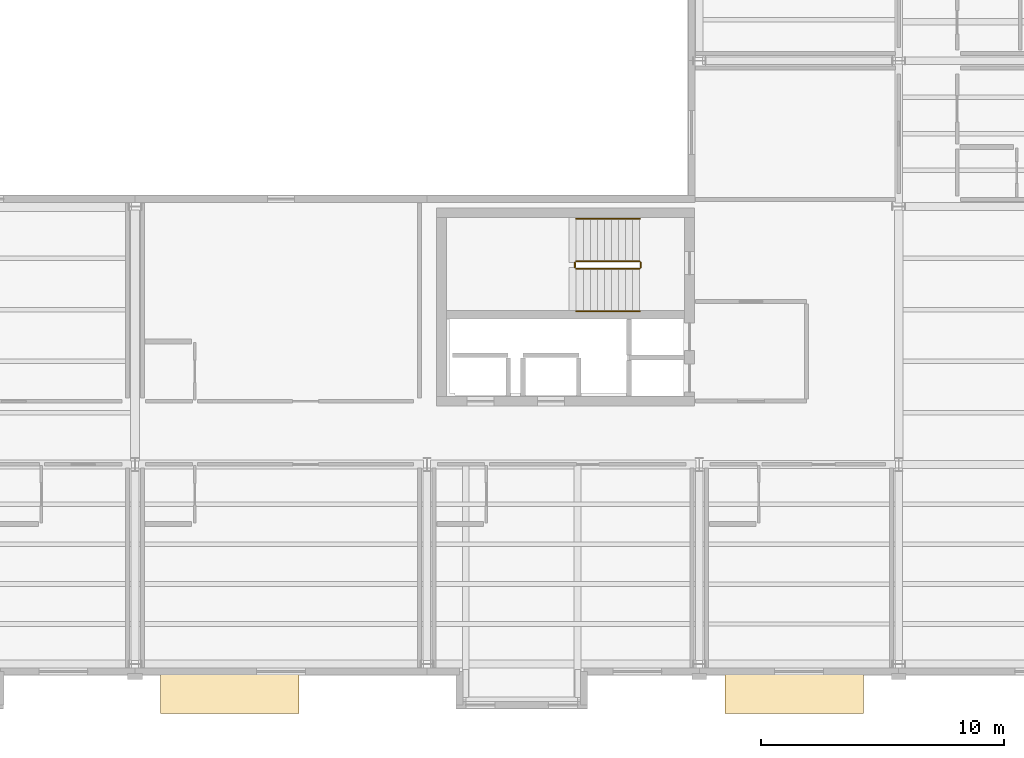
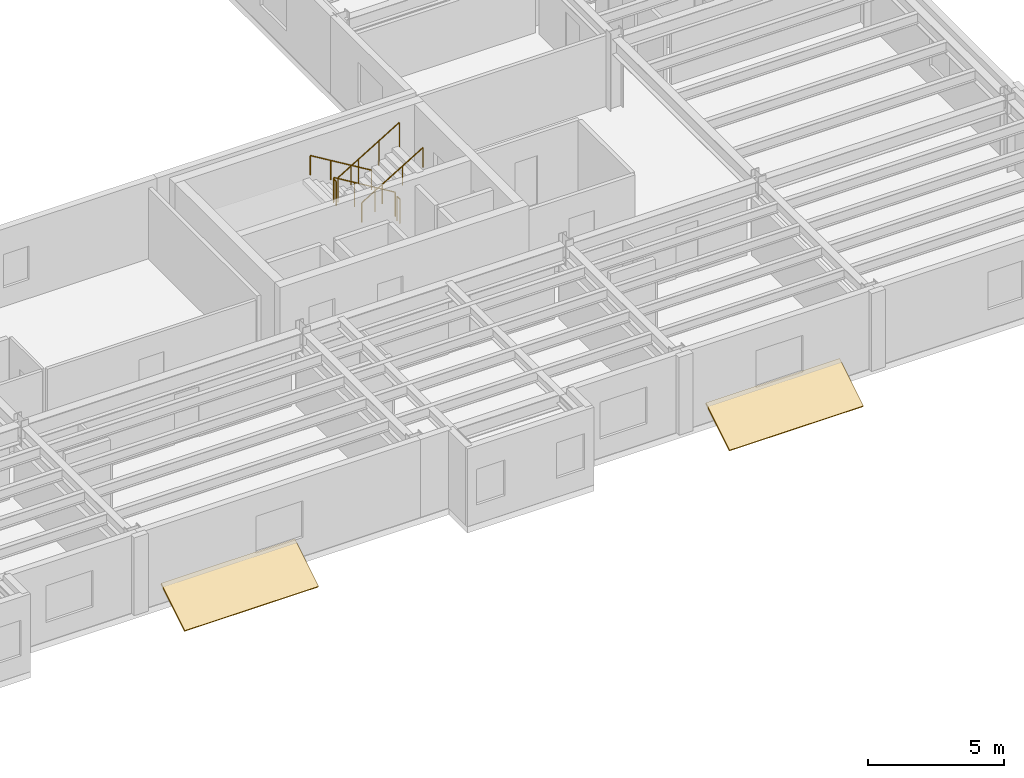
# One storey, part 17 of 19: 6 railings, 2 coverings.
"""IFC4 building model written with IfcOpenShell, lengths in metres."""

from ifc_helpers import new_model, si_unit, direction, frame, origin, origin_2d, place, context, subcontext, project, spatial, polyline, circle, outline, extrude, material, layer, layer_set, type_object, element, save


model = new_model("IFC4")

# Units and contexts
model_context = context("Model", 3, precision=1e-05, world=origin(), true_north=direction((0.0, 1.0)))
body_context = subcontext(model_context, "Body", "Model", "MODEL_VIEW")
ifc_project = project(units=[si_unit("LENGTHUNIT", "METRE"), si_unit("AREAUNIT", "SQUARE_METRE"), si_unit("VOLUMEUNIT", "CUBIC_METRE"), si_unit("PLANEANGLEUNIT", "RADIAN"), si_unit("MASSUNIT", "GRAM", prefix="KILO")], contexts=[model_context])

# Site, building, storey
site_placement = place(None, origin())
site = spatial("IfcSite", under=ifc_project, at=site_placement, CompositionType="ELEMENT")
building_placement = place(site_placement, origin())
building = spatial("IfcBuilding", under=site, at=building_placement, Name="Sollismere Congress Hotel", CompositionType="ELEMENT")
storey_placement = place(building_placement, frame((0.0, 0.0, 34.10009765625)))
storey = spatial("IfcBuildingStorey", under=building, at=storey_placement, Name="L08", CompositionType="ELEMENT", Elevation=34.10009765625)

# Coverings
ifc_material_1 = material(Name="Standing-Seam Titanium-Zinc Roof Assembly")
ifc_layer = layer(ifc_material_1, 0.054931640625, Name="Standing-Seam Titanium-Zinc Roof Assembly")
ifc_layer_set = layer_set([ifc_layer], Name="Standing-Seam Titanium-Zinc Roof Assembly")
covering_type = type_object("IfcCoveringType", Name="CV-RFZNC", PredefinedType="ROOFING", material=ifc_layer_set)
for number, where, z_axis, x_axis, name in (
    (1, (125.050048828125, -2.008056640625, -0.36328125), (0.0, -0.525209771298, 0.850972794003), (1.0, 0.0, 0.0), "Cikma bay sacak hood SL-CKH-24"),
    (2, (148.25, -2.008056640625, -0.36328125), (0.0, -0.525209771298, 0.850972794003), (1.0, 0.0, 0.0), "Cikma bay sacak hood SL-CKH-25"),
):
    element("IfcCovering", number, at=place(storey_placement, frame(where, z_axis=z_axis, x_axis=x_axis)), inside=storey, type_object=covering_type, Name=name, PredefinedType="ROOFING", context=body_context, shape_type="SweptSolid", body=[
        extrude(outline(polyline([(0.0, 0.0), (5.699951171875, 0.0), (5.699951171875, 2.056396484375), (0.0, 2.056396484375), (0.0, 0.0)])), origin(), (0.0, 0.0, 1.0), 0.080078125),
    ])

# Railings
ifc_material_2 = material(Name="Steel ASTM A500 Grade C", Category="steel")
railing_type_1 = type_object("IfcRailingType", Name="RL-GRD112", PredefinedType="GUARDRAIL", material=ifc_material_2)
railing_1_placement = place(storey_placement, frame((144.75, 16.550048828125, 0.1748046875)))
element("IfcRailing", 3, at=railing_1_placement, inside=storey, type_object=railing_type_1, Name="RLG-RG-ST-01-L08-1", PredefinedType="GUARDRAIL", context=body_context, shape_type="SweptSolid", body=[
    extrude(circle(Radius=0.02392578125, at=origin_2d()), frame((0.0, 0.0, 1.09619140625), z_axis=(-0.85616872604, 0.0, 0.516696344627), x_axis=(0.0, -1.0, 0.0)), (0.0, 0.0, 1.0), 3.048583984375),
    extrude(circle(Radius=0.02099609375, at=origin_2d()), origin(), (0.0, 0.0, 1.0), 1.072021484375),
    extrude(circle(Radius=0.02099609375, at=origin_2d()), frame((-0.8701171875, 0.0, 0.525146484375)), (0.0, 0.0, 1.0), 1.072021484375),
    extrude(circle(Radius=0.02099609375, at=origin_2d()), frame((-1.739990234375, 0.0, 1.050048828125)), (0.0, 0.0, 1.0), 1.072021484375),
    extrude(circle(Radius=0.02099609375, at=origin_2d()), frame((-2.610107421875, 0.0, 1.5751953125)), (0.0, 0.0, 1.0), 1.072021484375),
])
railing_2_placement = place(storey_placement, frame((142.090087890625, 16.5, 1.75)))
element("IfcRailing", 4, at=railing_2_placement, inside=storey, type_object=railing_type_1, Name="RLG-RG-ST-01-L08-2", PredefinedType="GUARDRAIL", context=body_context, shape_type="SweptSolid", body=[
    extrude(circle(Radius=0.02392578125, at=origin_2d()), frame((0.0, 0.0, 1.09619140625), z_axis=(0.0, -1.0, 0.0), x_axis=(1.0, 0.0, 0.0)), (0.0, 0.0, 1.0), 0.199951171875),
    extrude(circle(Radius=0.02099609375, at=origin_2d()), origin(), (0.0, 0.0, 1.0), 1.072021484375),
    extrude(circle(Radius=0.02099609375, at=origin_2d()), frame((0.0, -0.199951171875, 0.0)), (0.0, 0.0, 1.0), 1.072021484375),
])
railing_3_placement = place(storey_placement, frame((142.139892578125, 16.25, 1.9248046875)))
element("IfcRailing", 5, at=railing_3_placement, inside=storey, type_object=railing_type_1, Name="RLG-RG-ST-01-L08-3", PredefinedType="GUARDRAIL", context=body_context, shape_type="SweptSolid", body=[
    extrude(circle(Radius=0.02392578125, at=origin_2d()), frame((0.0, 0.0, 1.09619140625), z_axis=(0.85616872604, 0.0, 0.516696344627), x_axis=(0.0, 1.0, 0.0)), (0.0, 0.0, 1.0), 3.048583984375),
    extrude(circle(Radius=0.02099609375, at=origin_2d()), origin(), (0.0, 0.0, 1.0), 1.072021484375),
    extrude(circle(Radius=0.02099609375, at=origin_2d()), frame((0.8701171875, 0.0, 0.525146484375)), (0.0, 0.0, 1.0), 1.072021484375),
    extrude(circle(Radius=0.02099609375, at=origin_2d()), frame((1.739990234375, 0.0, 1.050048828125)), (0.0, 0.0, 1.0), 1.072021484375),
    extrude(circle(Radius=0.02099609375, at=origin_2d()), frame((2.610107421875, 0.0, 1.5751953125)), (0.0, 0.0, 1.0), 1.072021484375),
])
railing_4_placement = place(storey_placement, frame((144.800048828125, 16.5, 0.0)))
element("IfcRailing", 6, at=railing_4_placement, inside=storey, type_object=railing_type_1, Name="RLG-RG-ST-01-L08-4", PredefinedType="GUARDRAIL", context=body_context, shape_type="SweptSolid", body=[
    extrude(circle(Radius=0.02392578125, at=origin_2d()), frame((0.0, 0.0, 1.09619140625), z_axis=(0.0, -1.0, 0.0), x_axis=(1.0, 0.0, 0.0)), (0.0, 0.0, 1.0), 0.199951171875),
    extrude(circle(Radius=0.02099609375, at=origin_2d()), origin(), (0.0, 0.0, 1.0), 1.072021484375),
    extrude(circle(Radius=0.02099609375, at=origin_2d()), frame((0.0, -0.199951171875, 0.0)), (0.0, 0.0, 1.0), 1.072021484375),
])
ifc_material_3 = material(Name="Brushed Architectural Bronze")
railing_type_2 = type_object("IfcRailingType", Name="RL-HND90", PredefinedType="HANDRAIL", material=ifc_material_3)
railing_5_placement = place(storey_placement, frame((144.75, 18.300048828125, 0.325927734375)))
element("IfcRailing", 7, at=railing_5_placement, inside=storey, type_object=railing_type_2, Name="RLG-RH-ST-01-L08-1", PredefinedType="HANDRAIL", context=body_context, shape_type="SweptSolid", body=[
    extrude(circle(Radius=0.02392578125, at=origin_2d()), frame((0.0, 0.0, 0.8759765625), z_axis=(-0.856204152608, 0.0, 0.516637638057), x_axis=(0.0, -1.0, 0.0)), (0.0, 0.0, 1.0), 3.048583984375),
    extrude(circle(Radius=0.02099609375, at=origin_2d()), origin(), (0.0, 0.0, 1.0), 0.851806640625),
    extrude(circle(Radius=0.02099609375, at=origin_2d()), frame((-0.8701171875, 0.0, 0.52490234375)), (0.0, 0.0, 1.0), 0.851806640625),
    extrude(circle(Radius=0.02099609375, at=origin_2d()), frame((-1.739990234375, 0.0, 1.050048828125)), (0.0, 0.0, 1.0), 0.851806640625),
    extrude(circle(Radius=0.02099609375, at=origin_2d()), frame((-2.610107421875, 0.0, 1.574951171875)), (0.0, 0.0, 1.0), 0.851806640625),
])
railing_6_placement = place(storey_placement, frame((142.139892578125, 14.5, 2.075927734375)))
element("IfcRailing", 8, at=railing_6_placement, inside=storey, type_object=railing_type_2, Name="RLG-RH-ST-01-L08-2", PredefinedType="HANDRAIL", context=body_context, shape_type="SweptSolid", body=[
    extrude(circle(Radius=0.02392578125, at=origin_2d()), frame((0.0, 0.0, 0.8759765625), z_axis=(0.856204152608, 0.0, 0.516637638057), x_axis=(0.0, 1.0, 0.0)), (0.0, 0.0, 1.0), 3.048583984375),
    extrude(circle(Radius=0.02099609375, at=origin_2d()), origin(), (0.0, 0.0, 1.0), 0.851806640625),
    extrude(circle(Radius=0.02099609375, at=origin_2d()), frame((0.8701171875, 0.0, 0.52490234375)), (0.0, 0.0, 1.0), 0.851806640625),
    extrude(circle(Radius=0.02099609375, at=origin_2d()), frame((1.739990234375, 0.0, 1.050048828125)), (0.0, 0.0, 1.0), 0.851806640625),
    extrude(circle(Radius=0.02099609375, at=origin_2d()), frame((2.610107421875, 0.0, 1.574951171875)), (0.0, 0.0, 1.0), 0.851806640625),
])

save(model, "model.ifc")
